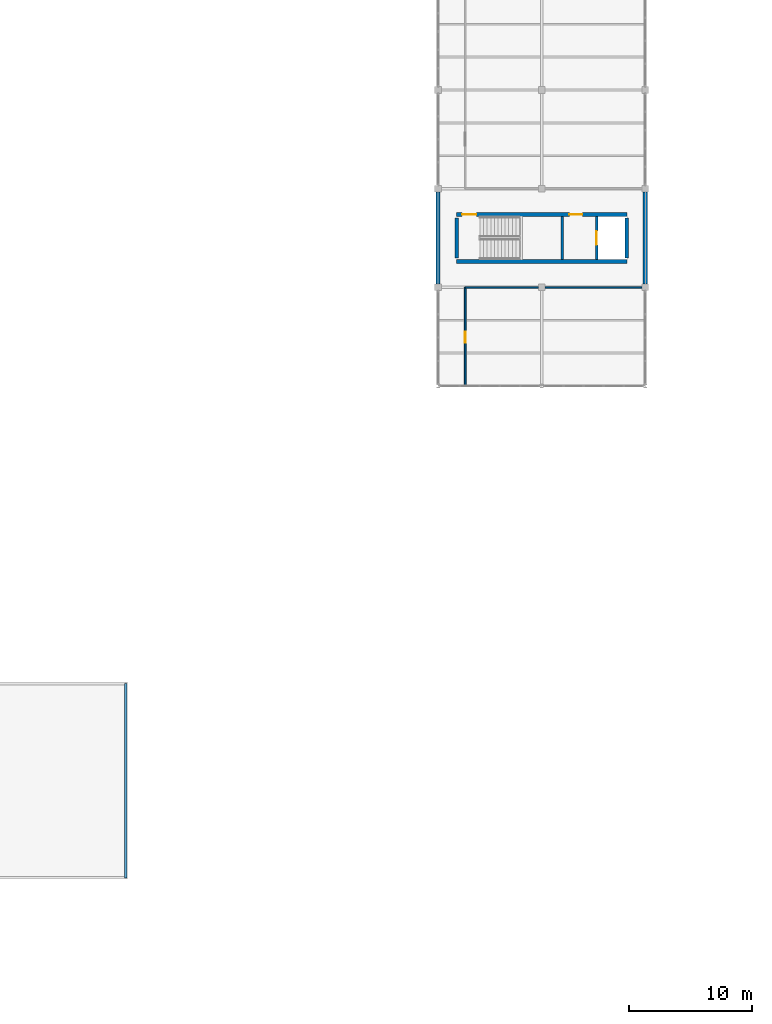
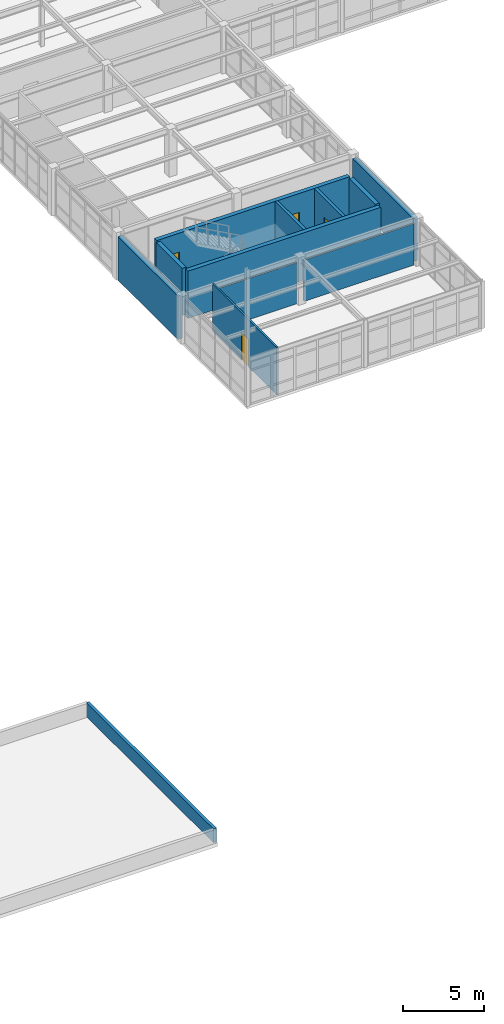
# One storey, part 42 of 53: 12 walls, 4 doors, 4 openings.
"""IFC4 building model written with IfcOpenShell, lengths in metres."""

from ifc_helpers import new_model, si_unit, direction, frame, frame_2d, origin, place, context, subcontext, project, spatial, rectangle, extrude, material, layer, layer_set, type_object, element, fill, save


model = new_model("IFC4")

# Units and contexts
model_context = context("Model", 3, precision=1e-05, world=origin(), true_north=direction((0.0, 1.0)))
body_context = subcontext(model_context, "Body", "Model", "MODEL_VIEW")
ifc_project = project(units=[si_unit("LENGTHUNIT", "METRE"), si_unit("AREAUNIT", "SQUARE_METRE"), si_unit("VOLUMEUNIT", "CUBIC_METRE"), si_unit("PLANEANGLEUNIT", "RADIAN"), si_unit("MASSUNIT", "GRAM", prefix="KILO")], contexts=[model_context])

# Site, building, storey
site_placement = place(None, origin())
site = spatial("IfcSite", under=ifc_project, at=site_placement, CompositionType="ELEMENT")
building_placement = place(site_placement, origin())
building = spatial("IfcBuilding", under=site, at=building_placement, Name="Kranzveld Transit Interchange", CompositionType="ELEMENT")
storey_placement = place(building_placement, frame((0.0, 0.0, 13.360107421875)))
storey = spatial("IfcBuildingStorey", under=building, at=storey_placement, Name="L03", CompositionType="ELEMENT", Elevation=13.360107421875)

# Wall
ifc_material_1 = material(Name="Concrete C40/50", Category="concrete")
ifc_layer_1 = layer(ifc_material_1, 0.300048828125)
ifc_layer_set_1 = layer_set([ifc_layer_1], Name="Concrete C40/50")
wall_type_1 = type_object("IfcWallType", Name="Core Shear Wall RC 300 C40/50", PredefinedType="SHEAR", material=ifc_layer_set_1)
wall_1_placement = place(storey_placement, frame((102.300048828125, 74.090087890625, 0.0), z_axis=(0.0, 0.0, 1.0), x_axis=(1.0, 0.0, 0.0)))
element("IfcWall", 1, at=wall_1_placement, inside=storey, type_object=wall_type_1, Name="L03 Community Core C3 Shear Wall S", PredefinedType="SHEAR", context=body_context, shape_type="SweptSolid", body=[
    extrude(rectangle(XDim=13.800048828125, YDim=0.300048828125, at=frame_2d((6.89990234375, 0.0))), origin(), (0.0, 0.0, 1.0), 3.579833984375),
])

# Wall, openings, doors
wall_2_placement = place(storey_placement, frame((102.300048828125, 77.909912109375, 0.0), z_axis=(0.0, 0.0, 1.0), x_axis=(1.0, 0.0, 0.0)))
wall_2 = element("IfcWall", 2, at=wall_2_placement, inside=storey, type_object=wall_type_1, Name="L03 Community Core C3 Shear Wall N", PredefinedType="SHEAR", context=body_context, shape_type="SweptSolid", body=[
    extrude(rectangle(XDim=13.800048828125, YDim=0.300048828125, at=frame_2d((6.89990234375, 0.0))), origin(), (0.0, 0.0, 1.0), 3.579833984375),
])
opening_1_placement = place(wall_2_placement, frame((0.449951171875, 0.0, 0.0), z_axis=(0.0, 0.0, 1.0), x_axis=(1.0, 0.0, 0.0)))
opening_1 = element("IfcOpeningElement", 3, at=opening_1_placement, cuts=wall_2, Name="Opening D-ST-C3-L03", PredefinedType="OPENING", context=body_context, shape_type="SweptSolid", body=[
    extrude(rectangle(XDim=1.14990234375, YDim=2.14990234375, at=frame_2d((0.574951171875, 1.074951171875))), frame((0.0, 0.159912109375, 0.0), z_axis=(0.0, -1.0, 0.0), x_axis=(1.0, 0.0, 0.0)), (0.0, 0.0, 1.0), 0.320068359375),
])
opening_2_placement = place(wall_2_placement, frame((9.14990234375, 0.0, 0.0), z_axis=(0.0, 0.0, 1.0), x_axis=(1.0, 0.0, 0.0)))
opening_2 = element("IfcOpeningElement", 4, at=opening_2_placement, cuts=wall_2, Name="Opening D-LB-C3-L03", PredefinedType="OPENING", context=body_context, shape_type="SweptSolid", body=[
    extrude(rectangle(XDim=1.050048828125, YDim=2.14990234375, at=frame_2d((0.52490234375, 1.074951171875))), frame((0.0, 0.159912109375, 0.0), z_axis=(0.0, -1.0, 0.0), x_axis=(1.0, 0.0, 0.0)), (0.0, 0.0, 1.0), 0.320068359375),
])
ifc_material_2 = material(Name="Steel S355JR", Category="steel")
door_type_1 = type_object("IfcDoorType", Name="Lift Lobby Fire Door 1050x2150 FD120S", OperationType="NOTDEFINED", PredefinedType="DOOR", material=ifc_material_2)
door_1_placement = place(opening_2_placement, origin())
door_1 = element("IfcDoor", 5, at=door_1_placement, inside=storey, type_object=door_type_1, Name="L03 Community Core C3 Lift Protected Lobby Door", OperationType="SINGLE_SWING_RIGHT", OverallHeight=2.14990234375, OverallWidth=1.050048828125, PredefinedType="DOOR", context=body_context, shape_type="SweptSolid", body=[
    extrude(rectangle(XDim=1.050048828125, YDim=2.14990234375, at=frame_2d((0.52490234375, 1.074951171875))), frame((0.0, 0.02490234375, 0.0), z_axis=(0.0, -1.0, 0.0), x_axis=(1.0, 0.0, 0.0)), (0.0, 0.0, 1.0), 0.050048828125),
])
fill(opening_2, door_1)
ifc_material_3 = material(Name="Steel S355JR", Category="steel")
door_type_2 = type_object("IfcDoorType", Name="Stair Core Fire Door 1150x2150 FD120S", OperationType="NOTDEFINED", PredefinedType="DOOR", material=ifc_material_3)
door_2_placement = place(opening_1_placement, origin())
door_2 = element("IfcDoor", 6, at=door_2_placement, inside=storey, type_object=door_type_2, Name="L03 ST-V4A Protected Stair Door", OperationType="SINGLE_SWING_RIGHT", OverallHeight=2.14990234375, OverallWidth=1.14990234375, PredefinedType="DOOR", context=body_context, shape_type="SweptSolid", body=[
    extrude(rectangle(XDim=1.14990234375, YDim=2.14990234375, at=frame_2d((0.574951171875, 1.074951171875))), frame((0.0, 0.02490234375, 0.0), z_axis=(0.0, -1.0, 0.0), x_axis=(1.0, 0.0, 0.0)), (0.0, 0.0, 1.0), 0.050048828125),
])
fill(opening_1, door_2)

# Walls
for number, where, z_axis, x_axis, name in (
    (7, (102.300048828125, 74.389892578125, 0.0), (0.0, 0.0, 1.0), (0.0, 1.0, 0.0), "L03 Community Core C3 Shear Wall W"),
    (8, (116.10009765625, 74.389892578125, 0.0), (0.0, 0.0, 1.0), (0.0, 1.0, 0.0), "L03 Community Core C3 Shear Wall E"),
):
    element("IfcWall", number, at=place(storey_placement, frame(where, z_axis=z_axis, x_axis=x_axis)), inside=storey, type_object=wall_type_1, Name=name, PredefinedType="SHEAR", context=body_context, shape_type="SweptSolid", body=[
        extrude(rectangle(XDim=3.22021484375, YDim=0.300048828125, at=frame_2d((1.610107421875, 0.0))), origin(), (0.0, 0.0, 1.0), 3.579833984375),
    ])
ifc_material_4 = material(Name="Pretoria red-purple clinker clay face brick, 35 MPa", Category="masonry")
ifc_layer_2 = layer(ifc_material_4, 0.340087890625)
ifc_layer_set_2 = layer_set([ifc_layer_2], Name="Pretoria red-purple clinker clay face brick, 35 MPa")
wall_type_2 = type_object("IfcWallType", Name="Exterior Cavity Wall Red Clinker 340", PredefinedType="SOLIDWALL", material=ifc_layer_set_2)
for number, where, z_axis, x_axis, name in (
    (9, (117.60009765625, 72.27490234375, 0.0), (0.0, 0.0, 1.0), (0.0, 1.0, 0.0), "L03 Clinker Facade Wall 15/K-15/L"),
    (10, (100.800048828125, 72.27490234375, 0.0), (0.0, 0.0, 1.0), (0.0, 1.0, 0.0), "L03 Clinker Facade Wall 13/K-13/L"),
):
    element("IfcWall", number, at=place(storey_placement, frame(where, z_axis=z_axis, x_axis=x_axis)), inside=storey, type_object=wall_type_2, Name=name, PredefinedType="SOLIDWALL", context=body_context, shape_type="SweptSolid", body=[
        extrude(rectangle(XDim=7.4501953125, YDim=0.340087890625, at=frame_2d((3.72509765625, 0.0))), origin(), (0.0, 0.0, 1.0), 3.27978515625),
    ])

# Wall, opening, door
ifc_material_5 = material(Name="Clay masonry unit wall, 20 MPa", Category="masonry")
ifc_layer_3 = layer(ifc_material_5, 0.125)
ifc_layer_set_3 = layer_set([ifc_layer_3], Name="Clay masonry unit wall, 20 MPa")
wall_type_3 = type_object("IfcWallType", Name="Internal Blockwork Partition 125", PredefinedType="PARTITIONING", material=ifc_layer_set_3)
wall_3_placement = place(storey_placement, frame((103.0, 64.0400390625, 0.0), z_axis=(0.0, 0.0, 1.0), x_axis=(0.0, 1.0, 0.0)))
wall_3 = element("IfcWall", 11, at=wall_3_placement, inside=storey, type_object=wall_type_3, Name="L03 Partition IW-L03-L03V4W-FRT-309-0", PredefinedType="PARTITIONING", context=body_context, shape_type="SweptSolid", body=[
    extrude(rectangle(XDim=7.9599609375, YDim=0.125, at=frame_2d((3.97998046875, 0.0))), origin(), (0.0, 0.0, 1.0), 3.579833984375),
])
opening_3_placement = place(wall_3_placement, frame((4.35986328125, 0.0, 0.0), z_axis=(0.0, 0.0, 1.0), x_axis=(-1.0, 0.0, 0.0)))
opening_3 = element("IfcOpeningElement", 12, at=opening_3_placement, cuts=wall_3, Name="Opening D-309", PredefinedType="OPENING", context=body_context, shape_type="SweptSolid", body=[
    extrude(rectangle(XDim=0.89990234375, YDim=2.10009765625, at=frame_2d((0.449951171875, 1.050048828125))), frame((0.0, 0.072509765625, 0.0), z_axis=(0.0, -1.0, 0.0), x_axis=(1.0, 0.0, 0.0)), (0.0, 0.0, 1.0), 0.14501953125),
])
ifc_material_6 = material(Name="Bronze-anodised thermally broken aluminium", Category="aluminium")
door_type_3 = type_object("IfcDoorType", Name="Staff Office Door 900x2100", OperationType="NOTDEFINED", PredefinedType="DOOR", material=ifc_material_6)
door_3_placement = place(opening_3_placement, origin())
door_3 = element("IfcDoor", 13, at=door_3_placement, inside=storey, type_object=door_type_3, Name="L03 Interior Door D-309", OperationType="SINGLE_SWING_LEFT", OverallHeight=2.10009765625, OverallWidth=0.89990234375, PredefinedType="DOOR", context=body_context, shape_type="SweptSolid", body=[
    extrude(rectangle(XDim=0.89990234375, YDim=2.10009765625, at=frame_2d((0.449951171875, 1.050048828125))), frame((0.0, 0.02490234375, 0.0), z_axis=(0.0, -1.0, 0.0), x_axis=(1.0, 0.0, 0.0)), (0.0, 0.0, 1.0), 0.050048828125),
])
fill(opening_3, door_3)

# Walls
wall_4_placement = place(storey_placement, frame((103.0, 72.0, 0.0), z_axis=(0.0, 0.0, 1.0), x_axis=(1.0, 0.0, 0.0)))
element("IfcWall", 14, at=wall_4_placement, inside=storey, type_object=wall_type_3, Name="L03 Partition IW-L03-L03V4W-N-309-0", PredefinedType="PARTITIONING", context=body_context, shape_type="SweptSolid", body=[
    extrude(rectangle(XDim=5.93505859375, YDim=0.125, at=frame_2d((2.967529296875, 0.0))), origin(), (0.0, 0.0, 1.0), 3.122802734375),
])
wall_5_placement = place(storey_placement, frame((109.465087890625, 72.0, 0.0), z_axis=(0.0, 0.0, 1.0), x_axis=(1.0, 0.0, 0.0)))
element("IfcWall", 15, at=wall_5_placement, inside=storey, type_object=wall_type_3, Name="L03 Partition IW-L03-L03V4W-N-309-1", PredefinedType="PARTITIONING", context=body_context, shape_type="SweptSolid", body=[
    extrude(rectangle(XDim=7.869873046875, YDim=0.125, at=frame_2d((3.93505859375, 0.0))), origin(), (0.0, 0.0, 1.0), 3.122802734375),
])
ifc_material_7 = material(Name="Concrete C40/50", Category="concrete")
ifc_layer_4 = layer(ifc_material_7, 0.199951171875)
ifc_layer_set_4 = layer_set([ifc_layer_4], Name="Concrete C40/50")
wall_type_4 = type_object("IfcWallType", Name="Lift Shaft Enclosure Wall RC 200 EI120", PredefinedType="SHEAR", material=ifc_layer_set_4)
wall_6_placement = place(storey_placement, frame((110.85009765625, 74.239990234375, 0.0), z_axis=(0.0, 0.0, 1.0), x_axis=(0.0, 1.0, 0.0)))
element("IfcWall", 16, at=wall_6_placement, inside=storey, type_object=wall_type_4, Name="L03 Community Core C3 Stair-Lobby Dividing Wall", PredefinedType="SHEAR", context=body_context, shape_type="SweptSolid", body=[
    extrude(rectangle(XDim=3.52001953125, YDim=0.199951171875, at=frame_2d((1.760009765625, 0.0))), origin(), (0.0, 0.0, 1.0), 3.579833984375),
])

# Wall, opening, door
wall_7_placement = place(storey_placement, frame((113.64990234375, 74.239990234375, 0.0), z_axis=(0.0, 0.0, 1.0), x_axis=(0.0, 1.0, 0.0)))
wall_7 = element("IfcWall", 17, at=wall_7_placement, inside=storey, type_object=wall_type_4, Name="L03 LF-V4A Shaft Front Wall", PredefinedType="SHEAR", context=body_context, shape_type="SweptSolid", body=[
    extrude(rectangle(XDim=3.52001953125, YDim=0.199951171875, at=frame_2d((1.760009765625, 0.0))), origin(), (0.0, 0.0, 1.0), 3.579833984375),
])
opening_4_placement = place(wall_7_placement, frame((1.2099609375, 0.0, 0.0), z_axis=(0.0, 0.0, 1.0), x_axis=(1.0, 0.0, 0.0)))
opening_4 = element("IfcOpeningElement", 18, at=opening_4_placement, cuts=wall_7, Name="Opening LD-LF-V4A-L03", PredefinedType="OPENING", context=body_context, shape_type="SweptSolid", body=[
    extrude(rectangle(XDim=1.10009765625, YDim=2.14990234375, at=frame_2d((0.550048828125, 1.074951171875))), frame((0.0, 0.10986328125, 0.0), z_axis=(0.0, -1.0, 0.0), x_axis=(1.0, 0.0, 0.0)), (0.0, 0.0, 1.0), 0.219970703125),
])
ifc_material_8 = material(Name="Steel S355JR", Category="steel")
door_type_4 = type_object("IfcDoorType", Name="Lift Landing Sliding Door 1100x2150 FD120S", OperationType="NOTDEFINED", PredefinedType="DOOR", material=ifc_material_8)
door_4_placement = place(opening_4_placement, origin())
door_4 = element("IfcDoor", 19, at=door_4_placement, inside=storey, type_object=door_type_4, Name="L03 LF-V4A Sliding Landing Door", OperationType="DOUBLE_DOOR_SLIDING", OverallHeight=2.14990234375, OverallWidth=1.10009765625, PredefinedType="DOOR", context=body_context, shape_type="SweptSolid", body=[
    extrude(rectangle(XDim=1.10009765625, YDim=2.14990234375, at=frame_2d((0.550048828125, 1.074951171875))), frame((0.0, 0.02490234375, 0.0), z_axis=(0.0, -1.0, 0.0), x_axis=(1.0, 0.0, 0.0)), (0.0, 0.0, 1.0), 0.050048828125),
])
fill(opening_4, door_4)

# Wall
ifc_material_9 = material(Name="Dark Pretoria clinker clay plinth brick, 40 MPa", Category="masonry")
ifc_layer_5 = layer(ifc_material_9, 0.215087890625)
ifc_layer_set_5 = layer_set([ifc_layer_5], Name="Dark Pretoria clinker clay plinth brick, 40 MPa")
wall_type_5 = type_object("IfcWallType", Name="Terrace Parapet Upstand Brick 215", PredefinedType="PARAPET", material=ifc_layer_set_5)
wall_8_placement = place(storey_placement, frame((75.47998046875, 39.8798828125, 0.0), z_axis=(0.0, 0.0, 1.0), x_axis=(0.0, -1.0, 0.0)))
element("IfcWall", 20, at=wall_8_placement, inside=storey, type_object=wall_type_5, Name="L03 Roof Parapet 019", PredefinedType="PARAPET", context=body_context, shape_type="SweptSolid", body=[
    extrude(rectangle(XDim=15.759765625, YDim=0.215087890625, at=frame_2d((7.8798828125, 0.0))), origin(), (0.0, 0.0, 1.0), 1.0498046875),
])

save(model, "model.ifc")
